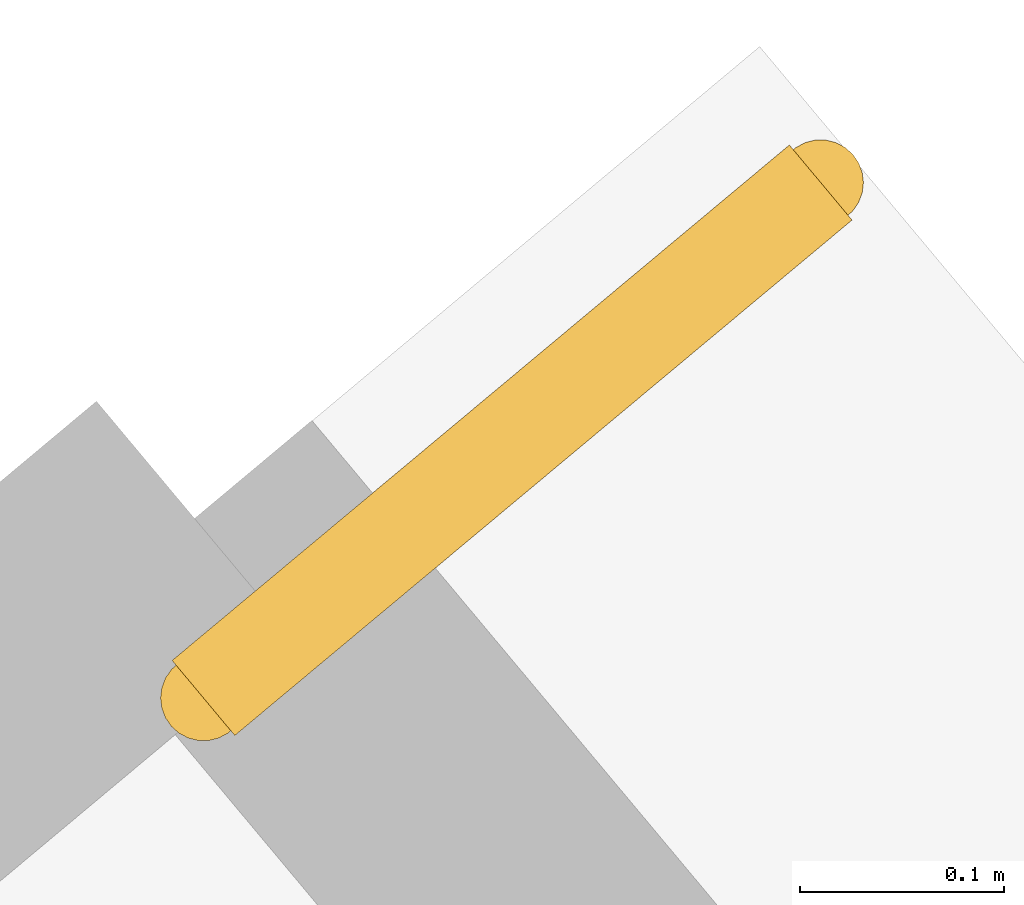
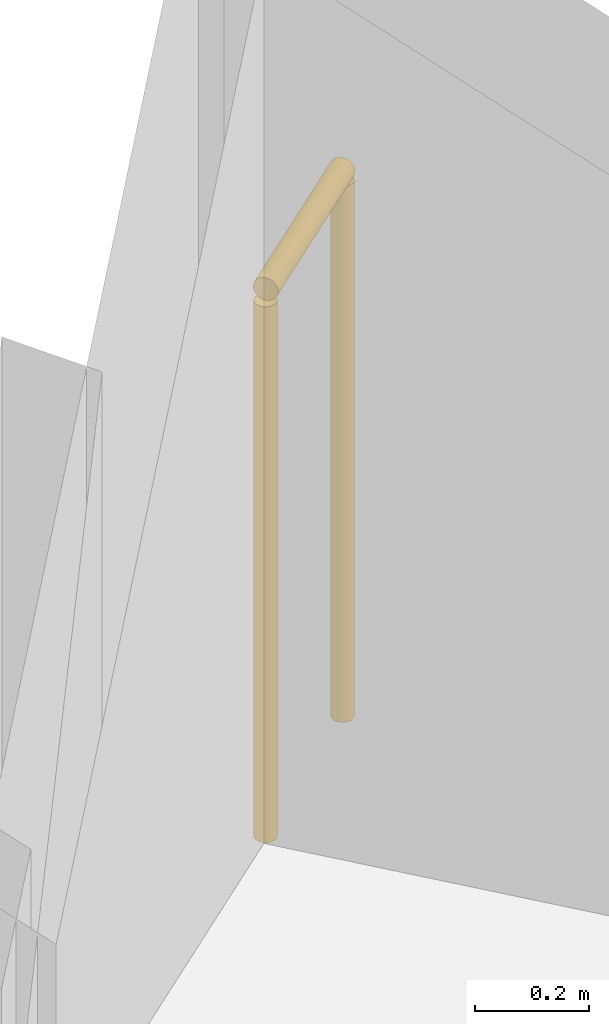
# One storey, part 14 of 14: 1 railing.
"""IFC4 building model written with IfcOpenShell, lengths in metres."""

from ifc_helpers import new_model, si_unit, direction, frame, origin, origin_2d, place, context, subcontext, project, spatial, circle, extrude, material, layer, layer_set, type_object, element, save


model = new_model("IFC4")

# Units and contexts
model_context = context("Model", 3, precision=1e-05, world=origin(), true_north=direction((0.0, 1.0)))
body_context = subcontext(model_context, "Body", "Model", "MODEL_VIEW")
ifc_project = project(units=[si_unit("LENGTHUNIT", "METRE"), si_unit("AREAUNIT", "SQUARE_METRE"), si_unit("VOLUMEUNIT", "CUBIC_METRE"), si_unit("PLANEANGLEUNIT", "RADIAN"), si_unit("MASSUNIT", "GRAM", prefix="KILO")], contexts=[model_context])

# Site, building, storey
site_placement = place(None, origin())
site = spatial("IfcSite", under=ifc_project, at=site_placement, CompositionType="ELEMENT")
building_placement = place(site_placement, origin())
building = spatial("IfcBuilding", under=site, at=building_placement, Name="Gaonmaruhae Medical Tower", CompositionType="ELEMENT")
storey_placement = place(building_placement, frame((0.0, 0.0, 193.800048828125)))
storey = spatial("IfcBuildingStorey", under=building, at=storey_placement, Name="L46", CompositionType="ELEMENT", Elevation=193.800048828125)

# Railing
ifc_material = material(Name="Stainless steel 316L and laminated safety glass", Category="steel")
ifc_layer = layer(ifc_material, 0.080078125)
ifc_layer_set = layer_set([ifc_layer], Name="Stainless steel 316L and laminated safety glass")
railing_type = type_object("IfcRailingType", Name="GD-120 Outdoor Terrace Safety Glass & Steel Balustrade", PredefinedType="BALUSTRADE", material=ifc_layer_set)
railing_placement = place(storey_placement, frame((52.601318359375, 37.598388671875, 0.0)))
element("IfcRailing", 1, at=railing_placement, inside=storey, type_object=railing_type, Name="L46 Perimeter Slab Edge Safety Balustrade 01", PredefinedType="BALUSTRADE", context=body_context, shape_type="SweptSolid", body=[
    extrude(circle(Radius=0.02392578125, at=origin_2d()), frame((0.0, 0.0, 1.17578125), z_axis=(0.767559680326, 0.640977485672, 0.0), x_axis=(-0.640977485672, 0.767559680326, 0.0)), (0.0, 0.0, 1.0), 0.3935546875),
    extrude(circle(Radius=0.02099609375, at=origin_2d()), origin(), (0.0, 0.0, 1.0), 1.15185546875),
    extrude(circle(Radius=0.02099609375, at=origin_2d()), frame((0.302001953125, 0.252197265625, 0.0)), (0.0, 0.0, 1.0), 1.15185546875),
])

save(model, "model.ifc")
